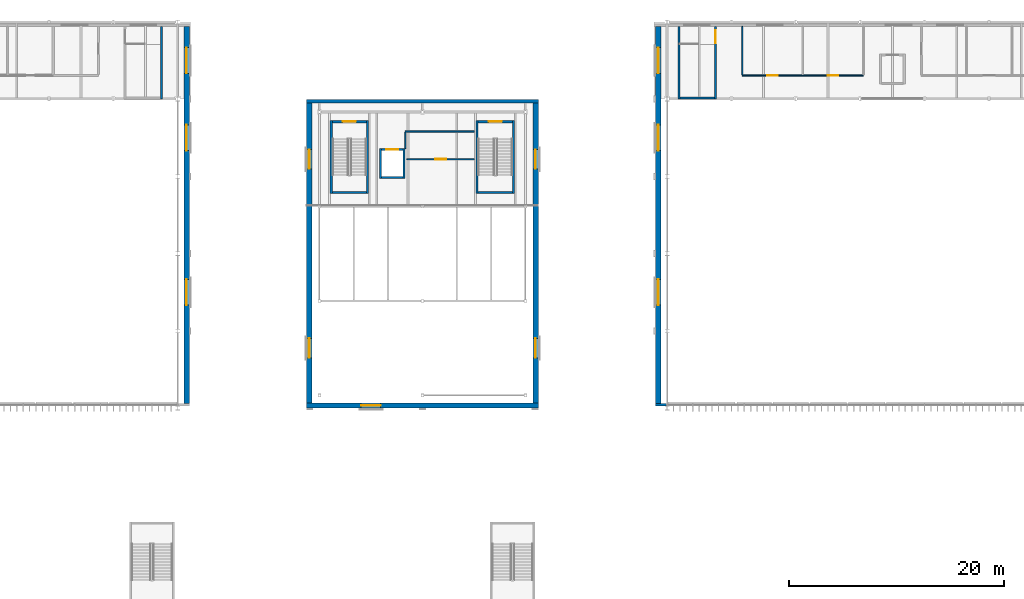
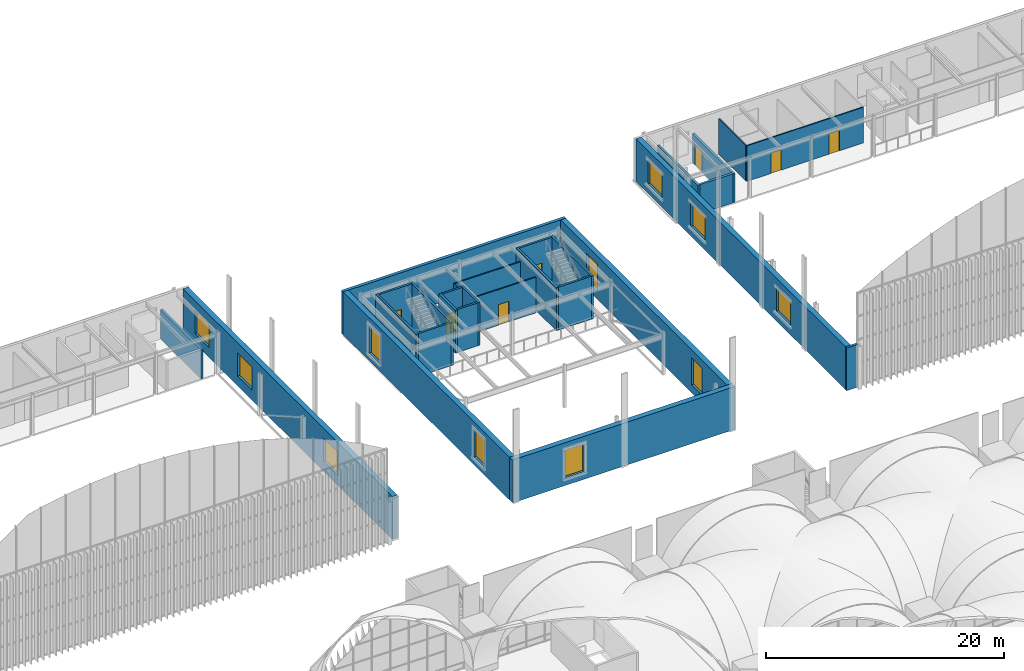
# One storey, part 101 of 169: 28 walls, 11 windows, 7 doors, 18 openings.
"""IFC4 building model written with IfcOpenShell, lengths in metres."""

from ifc_helpers import new_model, si_unit, direction, frame, frame_2d, origin, place, context, subcontext, project, spatial, rectangle, extrude, material, layer, layer_set, type_object, element, fill, save


model = new_model("IFC4")

# Units and contexts
model_context = context("Model", 3, precision=1e-05, world=origin(), true_north=direction((0.0, 1.0)))
body_context = subcontext(model_context, "Body", "Model", "MODEL_VIEW")
ifc_project = project(units=[si_unit("LENGTHUNIT", "METRE"), si_unit("AREAUNIT", "SQUARE_METRE"), si_unit("VOLUMEUNIT", "CUBIC_METRE"), si_unit("PLANEANGLEUNIT", "RADIAN"), si_unit("MASSUNIT", "GRAM", prefix="KILO")], contexts=[model_context])

# Site, building, storey
site_placement = place(None, origin())
site = spatial("IfcSite", under=ifc_project, at=site_placement, CompositionType="ELEMENT")
building_placement = place(site_placement, origin())
building = spatial("IfcBuilding", under=site, at=building_placement, Name="Verrick Yard Athletic Hall", CompositionType="ELEMENT")
storey_placement = place(building_placement, frame((0.0, 0.0, 4.39990234375)))
storey = spatial("IfcBuildingStorey", under=building, at=storey_placement, Name="L01", CompositionType="ELEMENT", Elevation=4.39990234375)

# Walls
ifc_material_1 = material(Name="Concrete 35 MPa", Category="concrete")
ifc_layer_1 = layer(ifc_material_1, 0.199951171875)
ifc_layer_set_1 = layer_set([ifc_layer_1], Name="Enclosure wall CR200")
wall_type_1 = type_object("IfcWallType", Name="Enclosure wall CR200", PredefinedType="SOLIDWALL", material=ifc_layer_set_1)
for number, where, z_axis, x_axis, name in (
    (1, (103.89990234375, 92.0, 0.0), (0.0, 0.0, 1.0), (0.0, 1.0, 0.0), "CORE-CH-E-WW-L01"),
    (2, (107.300048828125, 92.0, 0.0), (0.0, 0.0, 1.0), (0.0, 1.0, 0.0), "CORE-CH-E-WE-L01"),
):
    element("IfcWall", number, at=place(storey_placement, frame(where, z_axis=z_axis, x_axis=x_axis)), inside=storey, type_object=wall_type_1, Name=name, PredefinedType="SOLIDWALL", context=body_context, shape_type="SweptSolid", body=[
        extrude(rectangle(XDim=6.800048828125, YDim=0.199951171875, at=frame_2d((3.39990234375, 0.0))), origin(), (0.0, 0.0, 1.0), 4.400146484375),
    ])
wall_1_placement = place(storey_placement, frame((104.0, 92.10009765625, 0.0), z_axis=(0.0, 0.0, 1.0), x_axis=(1.0, 0.0, 0.0)))
element("IfcWall", 3, at=wall_1_placement, inside=storey, type_object=wall_type_1, Name="CORE-CH-E-WS-L01", PredefinedType="SOLIDWALL", context=body_context, shape_type="SweptSolid", body=[
    extrude(rectangle(XDim=3.199951171875, YDim=0.199951171875, at=frame_2d((1.60009765625, 0.0))), origin(), (0.0, 0.0, 1.0), 4.400146484375),
])

# Wall, opening, door
wall_2_placement = place(storey_placement, frame((104.0, 98.699951171875, 0.0), z_axis=(0.0, 0.0, 1.0), x_axis=(1.0, 0.0, 0.0)))
wall_2 = element("IfcWall", 4, at=wall_2_placement, inside=storey, type_object=wall_type_1, Name="CORE-CH-E-WN-L01", PredefinedType="SOLIDWALL", context=body_context, shape_type="SweptSolid", body=[
    extrude(rectangle(XDim=3.199951171875, YDim=0.199951171875, at=frame_2d((1.60009765625, 0.0))), origin(), (0.0, 0.0, 1.0), 4.400146484375),
])
opening_1_placement = place(wall_2_placement, frame((1.0, 0.0, 0.0)))
opening_1 = element("IfcOpeningElement", 5, at=opening_1_placement, cuts=wall_2, Name="Opening SD1", PredefinedType="OPENING", context=body_context, shape_type="SweptSolid", body=[
    extrude(rectangle(XDim=1.199951171875, YDim=2.10009765625, at=frame_2d((0.60009765625, 1.050048828125))), frame((0.0, 0.10986328125, 0.0), z_axis=(0.0, -1.0, 0.0), x_axis=(1.0, 0.0, 0.0)), (0.0, 0.0, 1.0), 0.219970703125),
])
ifc_material_2 = material(Name="Hollow metal door leaf")
door_type_1 = type_object("IfcDoorType", Name="Core door SD1 1200x2100", OperationType="NOTDEFINED", PredefinedType="DOOR", material=ifc_material_2)
door_1_placement = place(opening_1_placement, origin())
door_1 = element("IfcDoor", 6, at=door_1_placement, inside=storey, type_object=door_type_1, Name="CORE-CH-E-WN-L01-DSD1-10560", OperationType="SINGLE_SWING_LEFT", OverallHeight=2.10009765625, OverallWidth=1.199951171875, PredefinedType="DOOR", context=body_context, shape_type="SweptSolid", body=[
    extrude(rectangle(XDim=1.199951171875, YDim=2.10009765625, at=frame_2d((0.60009765625, 1.050048828125))), frame((0.0, 0.02490234375, 0.0), z_axis=(0.0, -1.0, 0.0), x_axis=(1.0, 0.0, 0.0)), (0.0, 0.0, 1.0), 0.050048828125),
])
fill(opening_1, door_1)

# Walls
for number, where, z_axis, x_axis, name in (
    (7, (90.300048828125, 92.0, 0.0), (0.0, 0.0, 1.0), (0.0, 1.0, 0.0), "CORE-CH-W-WW-L01"),
    (8, (93.699951171875, 92.0, 0.0), (0.0, 0.0, 1.0), (0.0, 1.0, 0.0), "CORE-CH-W-WE-L01"),
):
    element("IfcWall", number, at=place(storey_placement, frame(where, z_axis=z_axis, x_axis=x_axis)), inside=storey, type_object=wall_type_1, Name=name, PredefinedType="SOLIDWALL", context=body_context, shape_type="SweptSolid", body=[
        extrude(rectangle(XDim=6.800048828125, YDim=0.199951171875, at=frame_2d((3.39990234375, 0.0))), origin(), (0.0, 0.0, 1.0), 4.400146484375),
    ])
wall_3_placement = place(storey_placement, frame((90.39990234375, 92.10009765625, 0.0), z_axis=(0.0, 0.0, 1.0), x_axis=(1.0, 0.0, 0.0)))
element("IfcWall", 9, at=wall_3_placement, inside=storey, type_object=wall_type_1, Name="CORE-CH-W-WS-L01", PredefinedType="SOLIDWALL", context=body_context, shape_type="SweptSolid", body=[
    extrude(rectangle(XDim=3.2001953125, YDim=0.199951171875, at=frame_2d((1.60009765625, 0.0))), origin(), (0.0, 0.0, 1.0), 4.400146484375),
])

# Wall, opening, door
wall_4_placement = place(storey_placement, frame((90.39990234375, 98.699951171875, 0.0), z_axis=(0.0, 0.0, 1.0), x_axis=(1.0, 0.0, 0.0)))
wall_4 = element("IfcWall", 10, at=wall_4_placement, inside=storey, type_object=wall_type_1, Name="CORE-CH-W-WN-L01", PredefinedType="SOLIDWALL", context=body_context, shape_type="SweptSolid", body=[
    extrude(rectangle(XDim=3.2001953125, YDim=0.199951171875, at=frame_2d((1.60009765625, 0.0))), origin(), (0.0, 0.0, 1.0), 4.400146484375),
])
opening_2_placement = place(wall_4_placement, frame((1.0, 0.0, 0.0)))
opening_2 = element("IfcOpeningElement", 11, at=opening_2_placement, cuts=wall_4, Name="Opening SD1", PredefinedType="OPENING", context=body_context, shape_type="SweptSolid", body=[
    extrude(rectangle(XDim=1.199951171875, YDim=2.10009765625, at=frame_2d((0.60009765625, 1.050048828125))), frame((0.0, 0.10986328125, 0.0), z_axis=(0.0, -1.0, 0.0), x_axis=(1.0, 0.0, 0.0)), (0.0, 0.0, 1.0), 0.219970703125),
])
door_2_placement = place(opening_2_placement, origin())
door_2 = element("IfcDoor", 12, at=door_2_placement, inside=storey, type_object=door_type_1, Name="CORE-CH-W-WN-L01-DSD1-9200", OperationType="SINGLE_SWING_RIGHT", OverallHeight=2.10009765625, OverallWidth=1.199951171875, PredefinedType="DOOR", context=body_context, shape_type="SweptSolid", body=[
    extrude(rectangle(XDim=1.199951171875, YDim=2.10009765625, at=frame_2d((0.60009765625, 1.050048828125))), frame((0.0, 0.02490234375, 0.0), z_axis=(0.0, -1.0, 0.0), x_axis=(1.0, 0.0, 0.0)), (0.0, 0.0, 1.0), 0.050048828125),
])
fill(opening_2, door_2)

# Wall
wall_5_placement = place(storey_placement, frame((122.699951171875, 100.800048828125, 0.0), z_axis=(0.0, 0.0, 1.0), x_axis=(0.0, 1.0, 0.0)))
element("IfcWall", 13, at=wall_5_placement, inside=storey, type_object=wall_type_1, Name="CORE-HA-W-WW-L01", PredefinedType="SOLIDWALL", context=body_context, shape_type="SweptSolid", body=[
    extrude(rectangle(XDim=6.782958984375, YDim=0.199951171875, at=frame_2d((3.3916015625, 0.0))), origin(), (0.0, 0.0, 1.0), 3.0),
])

# Wall, opening, door
wall_6_placement = place(storey_placement, frame((126.10009765625, 100.800048828125, 0.0), z_axis=(0.0, 0.0, 1.0), x_axis=(0.0, 1.0, 0.0)))
wall_6 = element("IfcWall", 14, at=wall_6_placement, inside=storey, type_object=wall_type_1, Name="CORE-HA-W-WE-L01", PredefinedType="SOLIDWALL", context=body_context, shape_type="SweptSolid", body=[
    extrude(rectangle(XDim=6.782958984375, YDim=0.199951171875, at=frame_2d((3.3916015625, 0.0))), origin(), (0.0, 0.0, 1.0), 3.0),
])
opening_3_placement = place(wall_6_placement, frame((5.22509765625, 0.0, 0.0)))
opening_3 = element("IfcOpeningElement", 15, at=opening_3_placement, cuts=wall_6, Name="Opening SD1", PredefinedType="OPENING", context=body_context, shape_type="SweptSolid", body=[
    extrude(rectangle(XDim=1.199951171875, YDim=2.10009765625, at=frame_2d((0.60009765625, 1.050048828125))), frame((0.0, 0.10986328125, 0.0), z_axis=(0.0, -1.0, 0.0), x_axis=(1.0, 0.0, 0.0)), (0.0, 0.0, 1.0), 0.219970703125),
])
door_3_placement = place(opening_3_placement, origin())
door_3 = element("IfcDoor", 16, at=door_3_placement, inside=storey, type_object=door_type_1, Name="CORE-HA-W-WE-L01-DSD1-10662", OperationType="SINGLE_SWING_LEFT", OverallHeight=2.10009765625, OverallWidth=1.199951171875, PredefinedType="DOOR", context=body_context, shape_type="SweptSolid", body=[
    extrude(rectangle(XDim=1.199951171875, YDim=2.10009765625, at=frame_2d((0.60009765625, 1.050048828125))), frame((0.0, 0.02490234375, 0.0), z_axis=(0.0, -1.0, 0.0), x_axis=(1.0, 0.0, 0.0)), (0.0, 0.0, 1.0), 0.050048828125),
])
fill(opening_3, door_3)

# Walls
wall_7_placement = place(storey_placement, frame((122.800048828125, 100.89990234375, 0.0), z_axis=(0.0, 0.0, 1.0), x_axis=(1.0, 0.0, 0.0)))
element("IfcWall", 17, at=wall_7_placement, inside=storey, type_object=wall_type_1, Name="CORE-HA-W-WS-L01", PredefinedType="SOLIDWALL", context=body_context, shape_type="SweptSolid", body=[
    extrude(rectangle(XDim=3.199951171875, YDim=0.199951171875, at=frame_2d((1.60009765625, 0.0))), origin(), (0.0, 0.0, 1.0), 3.0),
])
wall_8_placement = place(storey_placement, frame((74.5, 100.800048828125, 0.0), z_axis=(0.0, 0.0, 1.0), x_axis=(0.0, 1.0, 0.0)))
element("IfcWall", 18, at=wall_8_placement, inside=storey, type_object=wall_type_1, Name="CORE-HB-E-WE-L01", PredefinedType="SOLIDWALL", context=body_context, shape_type="SweptSolid", body=[
    extrude(rectangle(XDim=6.782958984375, YDim=0.199951171875, at=frame_2d((3.3916015625, 0.0))), origin(), (0.0, 0.0, 1.0), 3.0),
])
for number, where, z_axis, x_axis, name in (
    (19, (94.89990234375, 93.39990234375, 0.0), (0.0, 0.0, 1.0), (0.0, 1.0, 0.0), "CORE-LF-CH-WW-L01"),
    (20, (97.10009765625, 93.39990234375, 0.0), (0.0, 0.0, 1.0), (0.0, 1.0, 0.0), "CORE-LF-CH-WE-L01"),
):
    element("IfcWall", number, at=place(storey_placement, frame(where, z_axis=z_axis, x_axis=x_axis)), inside=storey, type_object=wall_type_1, Name=name, PredefinedType="SOLIDWALL", context=body_context, shape_type="SweptSolid", body=[
        extrude(rectangle(XDim=2.800048828125, YDim=0.199951171875, at=frame_2d((1.39990234375, 0.0))), origin(), (0.0, 0.0, 1.0), 4.400146484375),
    ])
wall_9_placement = place(storey_placement, frame((95.0, 93.5, 0.0), z_axis=(0.0, 0.0, 1.0), x_axis=(1.0, 0.0, 0.0)))
element("IfcWall", 21, at=wall_9_placement, inside=storey, type_object=wall_type_1, Name="CORE-LF-CH-WS-L01", PredefinedType="SOLIDWALL", context=body_context, shape_type="SweptSolid", body=[
    extrude(rectangle(XDim=2.0, YDim=0.199951171875, at=frame_2d((1.0, 0.0))), origin(), (0.0, 0.0, 1.0), 4.400146484375),
])

# Wall, opening, door
wall_10_placement = place(storey_placement, frame((95.0, 96.10009765625, 0.0), z_axis=(0.0, 0.0, 1.0), x_axis=(1.0, 0.0, 0.0)))
wall_10 = element("IfcWall", 22, at=wall_10_placement, inside=storey, type_object=wall_type_1, Name="CORE-LF-CH-WN-L01", PredefinedType="SOLIDWALL", context=body_context, shape_type="SweptSolid", body=[
    extrude(rectangle(XDim=2.0, YDim=0.199951171875, at=frame_2d((1.0, 0.0))), origin(), (0.0, 0.0, 1.0), 4.400146484375),
])
opening_4_placement = place(wall_10_placement, frame((0.449951171875, 0.0, 0.0)))
opening_4 = element("IfcOpeningElement", 23, at=opening_4_placement, cuts=wall_10, Name="Opening LD", PredefinedType="OPENING", context=body_context, shape_type="SweptSolid", body=[
    extrude(rectangle(XDim=1.10009765625, YDim=2.10009765625, at=frame_2d((0.550048828125, 1.050048828125))), frame((0.0, 0.10986328125, 0.0), z_axis=(0.0, -1.0, 0.0), x_axis=(1.0, 0.0, 0.0)), (0.0, 0.0, 1.0), 0.219970703125),
])
ifc_material_3 = material(Name="Stainless steel landing door", Category="steel")
door_type_2 = type_object("IfcDoorType", Name="Lift landing door LD 1100x2100", OperationType="NOTDEFINED", PredefinedType="DOOR", material=ifc_material_3)
door_4_placement = place(opening_4_placement, origin())
door_4 = element("IfcDoor", 24, at=door_4_placement, inside=storey, type_object=door_type_2, Name="Lift landing door", OperationType="SLIDING_TO_LEFT", OverallHeight=2.10009765625, OverallWidth=1.10009765625, PredefinedType="DOOR", context=body_context, shape_type="SweptSolid", body=[
    extrude(rectangle(XDim=1.10009765625, YDim=2.10009765625, at=frame_2d((0.550048828125, 1.050048828125))), frame((0.0, 0.02490234375, 0.0), z_axis=(0.0, -1.0, 0.0), x_axis=(1.0, 0.0, 0.0)), (0.0, 0.0, 1.0), 0.050048828125),
])
fill(opening_4, door_4)

# Walls
ifc_material_4 = material(Name="Tyndall-stone-look precast cladding", Category="masonry")
ifc_layer_2 = layer(ifc_material_4, 0.0625, Name="Tyndall-stone-look precast cladding")
ifc_material_5 = material(Name="Mineral wool insulation")
ifc_layer_3 = layer(ifc_material_5, 0.0625, Name="Mineral wool insulation")
ifc_layer_4 = layer(ifc_material_1, 0.25, Name="Concrete 35 MPa")
ifc_layer_set_2 = layer_set([ifc_layer_2, ifc_layer_3, ifc_layer_4], Name="Gable base wall")
wall_type_2 = type_object("IfcWallType", Name="Gable base wall", PredefinedType="SOLIDWALL", material=ifc_layer_set_2)
wall_11_placement = place(storey_placement, frame((120.52490234375, 72.30126953125, 0.0), z_axis=(0.0, 0.0, 1.0), x_axis=(1.0, 0.0, 0.0)))
element("IfcWall", 25, at=wall_11_placement, inside=storey, type_object=wall_type_2, Name="ENVB-HAS-PIER-W-L01", PredefinedType="SOLIDWALL", context=body_context, shape_type="SweptSolid", body=[
    extrude(rectangle(XDim=1.045166015625, YDim=0.234375, at=frame_2d((0.5224609375, 0.0))), origin(), (0.0, 0.0, 1.0), 4.400146484375),
])
ifc_layer_5 = layer(ifc_material_1, 0.300048828125)
ifc_layer_set_3 = layer_set([ifc_layer_5], Name="HB climbing wall 300")
wall_type_3 = type_object("IfcWallType", Name="HB climbing wall 300", PredefinedType="SOLIDWALL", material=ifc_layer_set_3)
wall_12_placement = place(storey_placement, frame((88.0, 100.60009765625, 0.0), z_axis=(0.0, 0.0, 1.0), x_axis=(1.0, 0.0, 0.0)))
element("IfcWall", 26, at=wall_12_placement, inside=storey, type_object=wall_type_3, Name="HB-CT-L01", PredefinedType="SOLIDWALL", context=body_context, shape_type="SweptSolid", body=[
    extrude(rectangle(XDim=21.60009765625, YDim=0.300048828125, at=frame_2d((10.800048828125, 0.0))), origin(), (0.0, 0.0, 1.0), 4.400146484375),
])

# Wall, openings, windows
ifc_material_6 = material(Name="Through-coloured mineral render, warm white")
ifc_layer_6 = layer(ifc_material_6, 0.125, Name="Through-coloured mineral render, warm white")
ifc_layer_7 = layer(ifc_material_5, 0.125, Name="Mineral wool insulation")
ifc_layer_8 = layer(ifc_material_1, 0.25, Name="Concrete 35 MPa")
ifc_layer_set_4 = layer_set([ifc_layer_6, ifc_layer_7, ifc_layer_8], Name="Hall upper wall")
wall_type_4 = type_object("IfcWallType", Name="Hall upper wall", PredefinedType="SOLIDWALL", material=ifc_layer_set_4)
wall_13_placement = place(storey_placement, frame((120.77490234375, 72.41845703125, 0.0), z_axis=(0.0, 0.0, 1.0), x_axis=(0.0, 1.0, 0.0)))
wall_13 = element("IfcWall", 27, at=wall_13_placement, inside=storey, type_object=wall_type_4, Name="ENVB-HA-W-L01", PredefinedType="SOLIDWALL", context=body_context, shape_type="SweptSolid", body=[
    extrude(rectangle(XDim=35.1630859375, YDim=0.5, at=frame_2d((17.58154296875, 0.0))), origin(), (0.0, 0.0, 1.0), 4.400146484375),
])
opening_5_placement = place(wall_13_placement, frame((9.1826171875, 0.0, 1.0)))
opening_5 = element("IfcOpeningElement", 28, at=opening_5_placement, cuts=wall_13, Name="Opening W25", PredefinedType="OPENING", context=body_context, shape_type="SweptSolid", body=[
    extrude(rectangle(XDim=2.39990234375, YDim=2.39990234375, at=frame_2d((1.199951171875, 1.199951171875))), frame((0.0, 0.260009765625, 0.0), z_axis=(0.0, -1.0, 0.0), x_axis=(1.0, 0.0, 0.0)), (0.0, 0.0, 1.0), 0.52001953125),
])
opening_6_placement = place(wall_13_placement, frame((23.58251953125, 0.0, 1.0)))
opening_6 = element("IfcOpeningElement", 29, at=opening_6_placement, cuts=wall_13, Name="Opening W25", PredefinedType="OPENING", context=body_context, shape_type="SweptSolid", body=[
    extrude(rectangle(XDim=2.39990234375, YDim=2.39990234375, at=frame_2d((1.199951171875, 1.199951171875))), frame((0.0, 0.260009765625, 0.0), z_axis=(0.0, -1.0, 0.0), x_axis=(1.0, 0.0, 0.0)), (0.0, 0.0, 1.0), 0.52001953125),
])
opening_7_placement = place(wall_13_placement, frame((30.782470703125, 0.0, 1.0)))
opening_7 = element("IfcOpeningElement", 30, at=opening_7_placement, cuts=wall_13, Name="Opening W25", PredefinedType="OPENING", context=body_context, shape_type="SweptSolid", body=[
    extrude(rectangle(XDim=2.39990234375, YDim=2.39990234375, at=frame_2d((1.199951171875, 1.199951171875))), frame((0.0, 0.260009765625, 0.0), z_axis=(0.0, -1.0, 0.0), x_axis=(1.0, 0.0, 0.0)), (0.0, 0.0, 1.0), 0.52001953125),
])
ifc_material_7 = material(Name="Anodised aluminium frame with insulated glazing", Category="aluminium")
window_type_1 = type_object("IfcWindowType", Name="Hall window 2400x2400", PartitioningType="NOTDEFINED", PredefinedType="WINDOW", material=ifc_material_7)
window_1_placement = place(opening_5_placement, origin())
window_1 = element("IfcWindow", 31, at=window_1_placement, inside=storey, type_object=window_type_1, Name="ENVB-HA-W-L01-W2", OverallHeight=2.39990234375, OverallWidth=2.39990234375, PartitioningType="SINGLE_PANEL", PredefinedType="WINDOW", context=body_context, shape_type="SweptSolid", body=[
    extrude(rectangle(XDim=2.39990234375, YDim=2.39990234375, at=frame_2d((1.199951171875, 1.199951171875))), frame((0.0, 0.030029296875, 0.0), z_axis=(0.0, -1.0, 0.0), x_axis=(1.0, 0.0, 0.0)), (0.0, 0.0, 1.0), 0.06005859375),
])
fill(opening_5, window_1)
window_2_placement = place(opening_6_placement, origin())
window_2 = element("IfcWindow", 32, at=window_2_placement, inside=storey, type_object=window_type_1, Name="ENVB-HA-W-L01-W4", OverallHeight=2.39990234375, OverallWidth=2.39990234375, PartitioningType="SINGLE_PANEL", PredefinedType="WINDOW", context=body_context, shape_type="SweptSolid", body=[
    extrude(rectangle(XDim=2.39990234375, YDim=2.39990234375, at=frame_2d((1.199951171875, 1.199951171875))), frame((0.0, 0.030029296875, 0.0), z_axis=(0.0, -1.0, 0.0), x_axis=(1.0, 0.0, 0.0)), (0.0, 0.0, 1.0), 0.06005859375),
])
fill(opening_6, window_2)
window_3_placement = place(opening_7_placement, origin())
window_3 = element("IfcWindow", 33, at=window_3_placement, inside=storey, type_object=window_type_1, Name="ENVB-HA-W-L01-W5", OverallHeight=2.39990234375, OverallWidth=2.39990234375, PartitioningType="SINGLE_PANEL", PredefinedType="WINDOW", context=body_context, shape_type="SweptSolid", body=[
    extrude(rectangle(XDim=2.39990234375, YDim=2.39990234375, at=frame_2d((1.199951171875, 1.199951171875))), frame((0.0, 0.030029296875, 0.0), z_axis=(0.0, -1.0, 0.0), x_axis=(1.0, 0.0, 0.0)), (0.0, 0.0, 1.0), 0.06005859375),
])
fill(opening_7, window_3)

wall_14_placement = place(storey_placement, frame((76.824951171875, 72.41845703125, 0.0), z_axis=(0.0, 0.0, 1.0), x_axis=(0.0, 1.0, 0.0)))
wall_14 = element("IfcWall", 34, at=wall_14_placement, inside=storey, type_object=wall_type_4, Name="ENVB-HB-E-L01", PredefinedType="SOLIDWALL", context=body_context, shape_type="SweptSolid", body=[
    extrude(rectangle(XDim=35.1630859375, YDim=0.5, at=frame_2d((17.58154296875, 0.0))), origin(), (0.0, 0.0, 1.0), 4.400146484375),
])
opening_8_placement = place(wall_14_placement, frame((9.1826171875, 0.0, 1.0)))
opening_8 = element("IfcOpeningElement", 35, at=opening_8_placement, cuts=wall_14, Name="Opening W25", PredefinedType="OPENING", context=body_context, shape_type="SweptSolid", body=[
    extrude(rectangle(XDim=2.39990234375, YDim=2.39990234375, at=frame_2d((1.199951171875, 1.199951171875))), frame((0.0, 0.260009765625, 0.0), z_axis=(0.0, -1.0, 0.0), x_axis=(1.0, 0.0, 0.0)), (0.0, 0.0, 1.0), 0.52001953125),
])
opening_9_placement = place(wall_14_placement, frame((23.58251953125, 0.0, 1.0)))
opening_9 = element("IfcOpeningElement", 36, at=opening_9_placement, cuts=wall_14, Name="Opening W25", PredefinedType="OPENING", context=body_context, shape_type="SweptSolid", body=[
    extrude(rectangle(XDim=2.39990234375, YDim=2.39990234375, at=frame_2d((1.199951171875, 1.199951171875))), frame((0.0, 0.260009765625, 0.0), z_axis=(0.0, -1.0, 0.0), x_axis=(1.0, 0.0, 0.0)), (0.0, 0.0, 1.0), 0.52001953125),
])
opening_10_placement = place(wall_14_placement, frame((30.782470703125, 0.0, 1.0)))
opening_10 = element("IfcOpeningElement", 37, at=opening_10_placement, cuts=wall_14, Name="Opening W25", PredefinedType="OPENING", context=body_context, shape_type="SweptSolid", body=[
    extrude(rectangle(XDim=2.39990234375, YDim=2.39990234375, at=frame_2d((1.199951171875, 1.199951171875))), frame((0.0, 0.260009765625, 0.0), z_axis=(0.0, -1.0, 0.0), x_axis=(1.0, 0.0, 0.0)), (0.0, 0.0, 1.0), 0.52001953125),
])
window_4_placement = place(opening_8_placement, origin())
window_4 = element("IfcWindow", 38, at=window_4_placement, inside=storey, type_object=window_type_1, Name="ENVB-HB-E-L01-W2", OverallHeight=2.39990234375, OverallWidth=2.39990234375, PartitioningType="SINGLE_PANEL", PredefinedType="WINDOW", context=body_context, shape_type="SweptSolid", body=[
    extrude(rectangle(XDim=2.39990234375, YDim=2.39990234375, at=frame_2d((1.199951171875, 1.199951171875))), frame((0.0, 0.030029296875, 0.0), z_axis=(0.0, -1.0, 0.0), x_axis=(1.0, 0.0, 0.0)), (0.0, 0.0, 1.0), 0.06005859375),
])
fill(opening_8, window_4)
window_5_placement = place(opening_9_placement, origin())
window_5 = element("IfcWindow", 39, at=window_5_placement, inside=storey, type_object=window_type_1, Name="ENVB-HB-E-L01-W4", OverallHeight=2.39990234375, OverallWidth=2.39990234375, PartitioningType="SINGLE_PANEL", PredefinedType="WINDOW", context=body_context, shape_type="SweptSolid", body=[
    extrude(rectangle(XDim=2.39990234375, YDim=2.39990234375, at=frame_2d((1.199951171875, 1.199951171875))), frame((0.0, 0.030029296875, 0.0), z_axis=(0.0, -1.0, 0.0), x_axis=(1.0, 0.0, 0.0)), (0.0, 0.0, 1.0), 0.06005859375),
])
fill(opening_9, window_5)
window_6_placement = place(opening_10_placement, origin())
window_6 = element("IfcWindow", 40, at=window_6_placement, inside=storey, type_object=window_type_1, Name="ENVB-HB-E-L01-W5", OverallHeight=2.39990234375, OverallWidth=2.39990234375, PartitioningType="SINGLE_PANEL", PredefinedType="WINDOW", context=body_context, shape_type="SweptSolid", body=[
    extrude(rectangle(XDim=2.39990234375, YDim=2.39990234375, at=frame_2d((1.199951171875, 1.199951171875))), frame((0.0, 0.030029296875, 0.0), z_axis=(0.0, -1.0, 0.0), x_axis=(1.0, 0.0, 0.0)), (0.0, 0.0, 1.0), 0.06005859375),
])
fill(opening_10, window_6)

# Wall, opening, door
ifc_material_8 = material(Name="Gypsum plasterboard on light-gauge studs")
ifc_layer_9 = layer(ifc_material_8, 0.125)
ifc_layer_set_5 = layer_set([ifc_layer_9], Name="PW2 Stud partition 125")
wall_type_5 = type_object("IfcWallType", Name="PW2 Stud partition 125", PredefinedType="PARTITIONING", material=ifc_layer_set_5)
wall_15_placement = place(storey_placement, frame((97.35009765625, 95.199951171875, 0.0), z_axis=(0.0, 0.0, 1.0), x_axis=(1.0, 0.0, 0.0)))
wall_15 = element("IfcWall", 41, at=wall_15_placement, inside=storey, type_object=wall_type_5, Name="Partition PW2", PredefinedType="PARTITIONING", context=body_context, shape_type="SweptSolid", body=[
    extrude(rectangle(XDim=6.2998046875, YDim=0.125, at=frame_2d((3.14990234375, 0.0))), origin(), (0.0, 0.0, 1.0), 3.650146484375),
])
opening_11_placement = place(wall_15_placement, frame((2.64990234375, 0.0, 0.0)))
opening_11 = element("IfcOpeningElement", 42, at=opening_11_placement, cuts=wall_15, Name="Opening D1", PredefinedType="OPENING", context=body_context, shape_type="SweptSolid", body=[
    extrude(rectangle(XDim=1.0, YDim=2.10009765625, at=frame_2d((0.5, 1.050048828125))), frame((0.0, 0.072509765625, 0.0), z_axis=(0.0, -1.0, 0.0), x_axis=(1.0, 0.0, 0.0)), (0.0, 0.0, 1.0), 0.14501953125),
])
ifc_material_9 = material(Name="Timber door leaf in steel frame", Category="steel")
door_type_3 = type_object("IfcDoorType", Name="D1 Single door 1000 x 2100", OperationType="NOTDEFINED", PredefinedType="DOOR", material=ifc_material_9)
door_5_placement = place(opening_11_placement, origin())
door_5 = element("IfcDoor", 43, at=door_5_placement, inside=storey, type_object=door_type_3, Name="D1 Climbing Training Room", OperationType="SINGLE_SWING_LEFT", OverallHeight=2.10009765625, OverallWidth=1.0, PredefinedType="DOOR", context=body_context, shape_type="SweptSolid", body=[
    extrude(rectangle(XDim=1.0, YDim=2.10009765625, at=frame_2d((0.5, 1.050048828125))), frame((0.0, 0.02490234375, 0.0), z_axis=(0.0, -1.0, 0.0), x_axis=(1.0, 0.0, 0.0)), (0.0, 0.0, 1.0), 0.050048828125),
])
fill(opening_11, door_5)

# Wall
wall_16_placement = place(storey_placement, frame((97.199951171875, 97.800048828125, 0.0), z_axis=(0.0, 0.0, 1.0), x_axis=(1.0, 0.0, 0.0)))
element("IfcWall", 44, at=wall_16_placement, inside=storey, type_object=wall_type_5, Name="Partition PW2", PredefinedType="PARTITIONING", context=body_context, shape_type="SweptSolid", body=[
    extrude(rectangle(XDim=6.449951171875, YDim=0.125, at=frame_2d((3.22509765625, 0.0))), origin(), (0.0, 0.0, 1.0), 3.650146484375),
])

# Wall, openings, doors
wall_17_placement = place(storey_placement, frame((128.60009765625, 103.0, 0.0), z_axis=(0.0, 0.0, 1.0), x_axis=(1.0, 0.0, 0.0)))
wall_17 = element("IfcWall", 45, at=wall_17_placement, inside=storey, type_object=wall_type_5, Name="Partition PW2", PredefinedType="PARTITIONING", context=body_context, shape_type="SweptSolid", body=[
    extrude(rectangle(XDim=11.2998046875, YDim=0.125, at=frame_2d((5.64990234375, 0.0))), origin(), (0.0, 0.0, 1.0), 3.650146484375),
])
opening_12_placement = place(wall_17_placement, frame((2.324951171875, 0.0, 0.0)))
opening_12 = element("IfcOpeningElement", 46, at=opening_12_placement, cuts=wall_17, Name="Opening D1", PredefinedType="OPENING", context=body_context, shape_type="SweptSolid", body=[
    extrude(rectangle(XDim=1.0, YDim=2.10009765625, at=frame_2d((0.5, 1.050048828125))), frame((0.0, 0.072509765625, 0.0), z_axis=(0.0, -1.0, 0.0), x_axis=(1.0, 0.0, 0.0)), (0.0, 0.0, 1.0), 0.14501953125),
])
opening_13_placement = place(wall_17_placement, frame((7.97509765625, 0.0, 0.0)))
opening_13 = element("IfcOpeningElement", 47, at=opening_13_placement, cuts=wall_17, Name="Opening D1", PredefinedType="OPENING", context=body_context, shape_type="SweptSolid", body=[
    extrude(rectangle(XDim=1.0, YDim=2.10009765625, at=frame_2d((0.5, 1.050048828125))), frame((0.0, 0.072509765625, 0.0), z_axis=(0.0, -1.0, 0.0), x_axis=(1.0, 0.0, 0.0)), (0.0, 0.0, 1.0), 0.14501953125),
])
door_6_placement = place(opening_12_placement, origin())
door_6 = element("IfcDoor", 48, at=door_6_placement, inside=storey, type_object=door_type_3, Name="D1 Timekeepers Room A", OperationType="SINGLE_SWING_RIGHT", OverallHeight=2.10009765625, OverallWidth=1.0, PredefinedType="DOOR", context=body_context, shape_type="SweptSolid", body=[
    extrude(rectangle(XDim=1.0, YDim=2.10009765625, at=frame_2d((0.5, 1.050048828125))), frame((0.0, 0.02490234375, 0.0), z_axis=(0.0, -1.0, 0.0), x_axis=(1.0, 0.0, 0.0)), (0.0, 0.0, 1.0), 0.050048828125),
])
fill(opening_12, door_6)
door_7_placement = place(opening_13_placement, origin())
door_7 = element("IfcDoor", 49, at=door_7_placement, inside=storey, type_object=door_type_3, Name="D1 Press Room A", OperationType="SINGLE_SWING_LEFT", OverallHeight=2.10009765625, OverallWidth=1.0, PredefinedType="DOOR", context=body_context, shape_type="SweptSolid", body=[
    extrude(rectangle(XDim=1.0, YDim=2.10009765625, at=frame_2d((0.5, 1.050048828125))), frame((0.0, 0.02490234375, 0.0), z_axis=(0.0, -1.0, 0.0), x_axis=(1.0, 0.0, 0.0)), (0.0, 0.0, 1.0), 0.050048828125),
])
fill(opening_13, door_7)

# Walls
wall_18_placement = place(storey_placement, frame((97.199951171875, 96.199951171875, 0.0), z_axis=(0.0, 0.0, 1.0), x_axis=(0.0, 1.0, 0.0)))
element("IfcWall", 50, at=wall_18_placement, inside=storey, type_object=wall_type_5, Name="Partition PW2", PredefinedType="PARTITIONING", context=body_context, shape_type="SweptSolid", body=[
    extrude(rectangle(XDim=1.53759765625, YDim=0.125, at=frame_2d((0.768798828125, 0.0))), origin(), (0.0, 0.0, 1.0), 3.650146484375),
])
wall_19_placement = place(storey_placement, frame((128.60009765625, 103.0625, 0.0), z_axis=(0.0, 0.0, 1.0), x_axis=(0.0, 1.0, 0.0)))
element("IfcWall", 51, at=wall_19_placement, inside=storey, type_object=wall_type_5, Name="Partition PW2", PredefinedType="PARTITIONING", context=body_context, shape_type="SweptSolid", body=[
    extrude(rectangle(XDim=4.529052734375, YDim=0.125, at=frame_2d((2.2646484375, 0.0))), origin(), (0.0, 0.0, 1.0), 3.650146484375),
])

# Wall, openings, windows
ifc_layer_10 = layer(ifc_material_4, 0.125, Name="Tyndall-stone-look precast cladding")
ifc_layer_11 = layer(ifc_material_5, 0.125, Name="Mineral wool insulation")
ifc_layer_12 = layer(ifc_material_1, 0.25, Name="Concrete 35 MPa")
ifc_layer_set_6 = layer_set([ifc_layer_10, ifc_layer_11, ifc_layer_12], Name="Pavilion wall")
wall_type_6 = type_object("IfcWallType", Name="Pavilion wall", PredefinedType="SOLIDWALL", material=ifc_layer_set_6)
wall_20_placement = place(storey_placement, frame((88.25, 72.5, 0.0), z_axis=(0.0, 0.0, 1.0), x_axis=(0.0, 1.0, 0.0)))
wall_20 = element("IfcWall", 52, at=wall_20_placement, inside=storey, type_object=wall_type_6, Name="ENVB-CL-W-L01", PredefinedType="SOLIDWALL", context=body_context, shape_type="SweptSolid", body=[
    extrude(rectangle(XDim=27.949951171875, YDim=0.5, at=frame_2d((13.97509765625, 0.0))), origin(), (0.0, 0.0, 1.0), 4.400146484375),
])
opening_14_placement = place(wall_20_placement, frame((4.199951171875, 0.0, 0.800048828125)))
opening_14 = element("IfcOpeningElement", 53, at=opening_14_placement, cuts=wall_20, Name="Opening W30", PredefinedType="OPENING", context=body_context, shape_type="SweptSolid", body=[
    extrude(rectangle(XDim=1.800048828125, YDim=2.800048828125, at=frame_2d((0.89990234375, 1.39990234375))), frame((0.0, 0.260009765625, 0.0), z_axis=(0.0, -1.0, 0.0), x_axis=(1.0, 0.0, 0.0)), (0.0, 0.0, 1.0), 0.52001953125),
])
opening_15_placement = place(wall_20_placement, frame((21.800048828125, 0.0, 0.800048828125)))
opening_15 = element("IfcOpeningElement", 54, at=opening_15_placement, cuts=wall_20, Name="Opening W30", PredefinedType="OPENING", context=body_context, shape_type="SweptSolid", body=[
    extrude(rectangle(XDim=1.800048828125, YDim=2.800048828125, at=frame_2d((0.89990234375, 1.39990234375))), frame((0.0, 0.260009765625, 0.0), z_axis=(0.0, -1.0, 0.0), x_axis=(1.0, 0.0, 0.0)), (0.0, 0.0, 1.0), 0.52001953125),
])
window_type_2 = type_object("IfcWindowType", Name="Climbing hall window 1800x2800", PartitioningType="NOTDEFINED", PredefinedType="WINDOW", material=ifc_material_7)
window_7_placement = place(opening_14_placement, origin())
window_7 = element("IfcWindow", 55, at=window_7_placement, inside=storey, type_object=window_type_2, Name="ENVB-CL-W-L01-W1", OverallHeight=2.800048828125, OverallWidth=1.800048828125, PartitioningType="SINGLE_PANEL", PredefinedType="WINDOW", context=body_context, shape_type="SweptSolid", body=[
    extrude(rectangle(XDim=1.800048828125, YDim=2.800048828125, at=frame_2d((0.89990234375, 1.39990234375))), frame((0.0, 0.030029296875, 0.0), z_axis=(0.0, -1.0, 0.0), x_axis=(1.0, 0.0, 0.0)), (0.0, 0.0, 1.0), 0.06005859375),
])
fill(opening_14, window_7)
window_8_placement = place(opening_15_placement, origin())
window_8 = element("IfcWindow", 56, at=window_8_placement, inside=storey, type_object=window_type_2, Name="ENVB-CL-W-L01-W3", OverallHeight=2.800048828125, OverallWidth=1.800048828125, PartitioningType="SINGLE_PANEL", PredefinedType="WINDOW", context=body_context, shape_type="SweptSolid", body=[
    extrude(rectangle(XDim=1.800048828125, YDim=2.800048828125, at=frame_2d((0.89990234375, 1.39990234375))), frame((0.0, 0.030029296875, 0.0), z_axis=(0.0, -1.0, 0.0), x_axis=(1.0, 0.0, 0.0)), (0.0, 0.0, 1.0), 0.06005859375),
])
fill(opening_15, window_8)

wall_21_placement = place(storey_placement, frame((109.35009765625, 72.5, 0.0), z_axis=(0.0, 0.0, 1.0), x_axis=(0.0, 1.0, 0.0)))
wall_21 = element("IfcWall", 57, at=wall_21_placement, inside=storey, type_object=wall_type_6, Name="ENVB-CL-E-L01", PredefinedType="SOLIDWALL", context=body_context, shape_type="SweptSolid", body=[
    extrude(rectangle(XDim=27.949951171875, YDim=0.5, at=frame_2d((13.97509765625, 0.0))), origin(), (0.0, 0.0, 1.0), 4.400146484375),
])
opening_16_placement = place(wall_21_placement, frame((4.199951171875, 0.0, 0.800048828125)))
opening_16 = element("IfcOpeningElement", 58, at=opening_16_placement, cuts=wall_21, Name="Opening W30", PredefinedType="OPENING", context=body_context, shape_type="SweptSolid", body=[
    extrude(rectangle(XDim=1.800048828125, YDim=2.800048828125, at=frame_2d((0.89990234375, 1.39990234375))), frame((0.0, 0.260009765625, 0.0), z_axis=(0.0, -1.0, 0.0), x_axis=(1.0, 0.0, 0.0)), (0.0, 0.0, 1.0), 0.52001953125),
])
opening_17_placement = place(wall_21_placement, frame((21.800048828125, 0.0, 0.800048828125)))
opening_17 = element("IfcOpeningElement", 59, at=opening_17_placement, cuts=wall_21, Name="Opening W30", PredefinedType="OPENING", context=body_context, shape_type="SweptSolid", body=[
    extrude(rectangle(XDim=1.800048828125, YDim=2.800048828125, at=frame_2d((0.89990234375, 1.39990234375))), frame((0.0, 0.260009765625, 0.0), z_axis=(0.0, -1.0, 0.0), x_axis=(1.0, 0.0, 0.0)), (0.0, 0.0, 1.0), 0.52001953125),
])
window_9_placement = place(opening_16_placement, origin())
window_9 = element("IfcWindow", 60, at=window_9_placement, inside=storey, type_object=window_type_2, Name="ENVB-CL-E-L01-W1", OverallHeight=2.800048828125, OverallWidth=1.800048828125, PartitioningType="SINGLE_PANEL", PredefinedType="WINDOW", context=body_context, shape_type="SweptSolid", body=[
    extrude(rectangle(XDim=1.800048828125, YDim=2.800048828125, at=frame_2d((0.89990234375, 1.39990234375))), frame((0.0, 0.030029296875, 0.0), z_axis=(0.0, -1.0, 0.0), x_axis=(1.0, 0.0, 0.0)), (0.0, 0.0, 1.0), 0.06005859375),
])
fill(opening_16, window_9)
window_10_placement = place(opening_17_placement, origin())
window_10 = element("IfcWindow", 61, at=window_10_placement, inside=storey, type_object=window_type_2, Name="ENVB-CL-E-L01-W3", OverallHeight=2.800048828125, OverallWidth=1.800048828125, PartitioningType="SINGLE_PANEL", PredefinedType="WINDOW", context=body_context, shape_type="SweptSolid", body=[
    extrude(rectangle(XDim=1.800048828125, YDim=2.800048828125, at=frame_2d((0.89990234375, 1.39990234375))), frame((0.0, 0.030029296875, 0.0), z_axis=(0.0, -1.0, 0.0), x_axis=(1.0, 0.0, 0.0)), (0.0, 0.0, 1.0), 0.06005859375),
])
fill(opening_17, window_10)

# Wall, opening, window
wall_22_placement = place(storey_placement, frame((88.0, 72.25, 0.0), z_axis=(0.0, 0.0, 1.0), x_axis=(1.0, 0.0, 0.0)))
wall_22 = element("IfcWall", 62, at=wall_22_placement, inside=storey, type_object=wall_type_6, Name="ENVB-CL-S-L01", PredefinedType="SOLIDWALL", context=body_context, shape_type="SweptSolid", body=[
    extrude(rectangle(XDim=21.60009765625, YDim=0.5, at=frame_2d((10.800048828125, 0.0))), origin(), (0.0, 0.0, 1.0), 4.400146484375),
])
opening_18_placement = place(wall_22_placement, frame((5.10009765625, 0.0, 0.800048828125)))
opening_18 = element("IfcOpeningElement", 63, at=opening_18_placement, cuts=wall_22, Name="Opening W30", PredefinedType="OPENING", context=body_context, shape_type="SweptSolid", body=[
    extrude(rectangle(XDim=1.800048828125, YDim=2.800048828125, at=frame_2d((0.89990234375, 1.39990234375))), frame((0.0, 0.260009765625, 0.0), z_axis=(0.0, -1.0, 0.0), x_axis=(1.0, 0.0, 0.0)), (0.0, 0.0, 1.0), 0.52001953125),
])
window_11_placement = place(opening_18_placement, origin())
window_11 = element("IfcWindow", 64, at=window_11_placement, inside=storey, type_object=window_type_2, Name="ENVB-CL-S-L01-W1", OverallHeight=2.800048828125, OverallWidth=1.800048828125, PartitioningType="SINGLE_PANEL", PredefinedType="WINDOW", context=body_context, shape_type="SweptSolid", body=[
    extrude(rectangle(XDim=1.800048828125, YDim=2.800048828125, at=frame_2d((0.89990234375, 1.39990234375))), frame((0.0, 0.030029296875, 0.0), z_axis=(0.0, -1.0, 0.0), x_axis=(1.0, 0.0, 0.0)), (0.0, 0.0, 1.0), 0.06005859375),
])
fill(opening_18, window_11)

save(model, "model.ifc")
